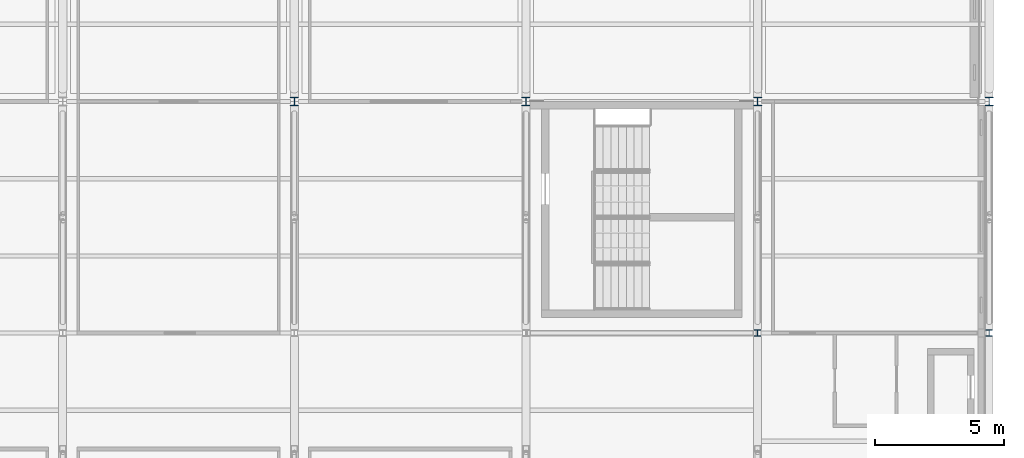
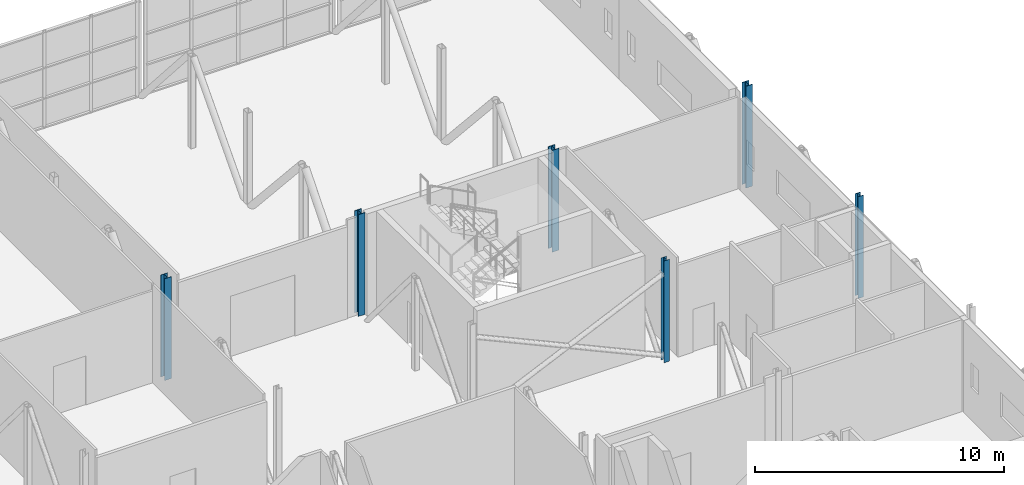
# One storey, part 8 of 94: 6 columns.
"""IFC4 building model written with IfcOpenShell, lengths in metres."""

import ifcopenshell
import ifcopenshell.guid

model = None  # the IFC model being written
_history = None  # IfcOwnerHistory: only IFC2X3 demands one
_inside = {}  # id of a spatial element -> (the spatial element, [elements in it])
_under = {}  # id of a project, library or spatial element -> (it, [spatial elements below it])
_declared = {}  # id of a project -> (the project, [libraries it declares])
_typed = {}  # id of a type object -> (the type object, [elements of that type])
_made_of = {}  # id of a material, layer set ... -> (it, [elements and type objects made of it])


def new_model(schema):
    """Start an empty IFC model of exactly this schema.

    Asked for "IFC4X3", IfcOpenShell would pick the latest addendum, in which some entities
    have other attributes; the version numbers below select the first issue.
    IFC2X3 requires an IfcOwnerHistory on every rooted entity: one is made here for all.
    """
    global model, _history
    if schema == "IFC4X3":
        model = ifcopenshell.file(schema_version=(4, 3, 0, 0))
    else:
        model = ifcopenshell.file(schema=schema)
    _inside.clear()
    _under.clear()
    _declared.clear()
    _typed.clear()
    _made_of.clear()
    _history = None
    if model.schema == "IFC2X3":
        org = make("IfcOrganization", Name="unknown")
        user = make(
            "IfcPersonAndOrganization",
            ThePerson=make("IfcPerson", FamilyName="unknown"),
            TheOrganization=org,
        )
        app = make(
            "IfcApplication",
            ApplicationDeveloper=org,
            Version="unknown",
            ApplicationFullName="unknown",
            ApplicationIdentifier="unknown",
        )
        _history = make(
            "IfcOwnerHistory",
            OwningUser=user,
            OwningApplication=app,
            ChangeAction="ADDED",
            CreationDate=0,
        )
    return model


def make(cls, **values):
    """One entity of the class cls with the attributes given. An attribute that is None is left unset."""
    return model.create_entity(
        cls, **{name: value for name, value in values.items() if value is not None}
    )


def rooted(cls, **values):
    """An entity with a GlobalId (a new one), such as an element, a storey or a relation."""
    return make(cls, GlobalId=ifcopenshell.guid.new(), OwnerHistory=_history, **values)


def si_unit(unit_type, name, prefix=None):
    """IfcSIUnit, for example si_unit("LENGTHUNIT", "METRE", prefix="MILLI")."""
    return make("IfcSIUnit", UnitType=unit_type, Prefix=prefix, Name=name)


def assignment(units):
    """IfcUnitAssignment: the units of a project."""
    return None if units is None else make("IfcUnitAssignment", Units=units)


def point(xyz):
    """IfcCartesianPoint."""
    return None if xyz is None else make("IfcCartesianPoint", Coordinates=xyz)


def direction(xyz):
    """IfcDirection."""
    return None if xyz is None else make("IfcDirection", DirectionRatios=xyz)


def frame(location, z_axis=None, x_axis=None):
    """IfcAxis2Placement3D, a coordinate frame: its origin and axes. An axis left out is left unset."""
    return make(
        "IfcAxis2Placement3D",
        Location=point(location),
        Axis=direction(z_axis),
        RefDirection=direction(x_axis),
    )


def frame_2d(location, x_axis=None):
    """IfcAxis2Placement2D, a coordinate frame in the plane: its origin and x axis."""
    return make(
        "IfcAxis2Placement2D", Location=point(location), RefDirection=direction(x_axis)
    )


def origin():
    """The frame at (0, 0, 0) with its axes left unset."""
    return frame((0.0, 0.0, 0.0))


def origin_2d():
    """The frame at (0, 0) in the plane with its x axis left unset."""
    return frame_2d((0.0, 0.0))


def place(relative_to, where):
    """IfcLocalPlacement: puts the frame where relative to a parent placement (None: the world)."""
    return make(
        "IfcLocalPlacement", PlacementRelTo=relative_to, RelativePlacement=where
    )


def context(
    kind, dimensions, precision=None, world=None, true_north=None, identifier=None
):
    """IfcGeometricRepresentationContext, for example the 3D "Model" context."""
    return make(
        "IfcGeometricRepresentationContext",
        ContextIdentifier=identifier,
        ContextType=kind,
        CoordinateSpaceDimension=dimensions,
        Precision=precision,
        WorldCoordinateSystem=world,
        TrueNorth=true_north,
    )


def subcontext(parent, identifier, kind, view, scale=None):
    """IfcGeometricRepresentationSubContext, for example "Body" below "Model"."""
    return make(
        "IfcGeometricRepresentationSubContext",
        ContextIdentifier=identifier,
        ContextType=kind,
        ParentContext=parent,
        TargetScale=scale,
        TargetView=view,
    )


def project(units=None, contexts=None):
    """IfcProject with its units and contexts."""
    return rooted(
        "IfcProject",
        Name="project",
        RepresentationContexts=contexts,
        UnitsInContext=assignment(units),
    )


def spatial(cls, under=None, at=None, **own):
    """A site, building, storey or space (cls), placed at a placement, below another one or the project."""
    s = rooted(cls, ObjectPlacement=at, **own)
    if under is not None:
        _under.setdefault(under.id(), (under, []))[1].append(s)
    return s


def profile(cls, at=None, kind="AREA", **sizes):
    """A parametric profile (cls). Its sizes go by their IFC names, for example OverallWidth=200.0."""
    return make(cls, ProfileType=kind, Position=at, **sizes)


def i_section(**sizes):
    """IfcIShapeProfileDef."""
    return profile("IfcIShapeProfileDef", **sizes)


def extrude(swept, where, along, depth):
    """IfcExtrudedAreaSolid: the profile swept, set in the frame where, extruded along a direction by depth."""
    return make(
        "IfcExtrudedAreaSolid",
        SweptArea=swept,
        Position=where,
        ExtrudedDirection=direction(along),
        Depth=depth,
    )


def shape(context_of_items, identifier, shape_type, items):
    """IfcShapeRepresentation: the items that make up one representation, for example the "Body"."""
    return make(
        "IfcShapeRepresentation",
        ContextOfItems=context_of_items,
        RepresentationIdentifier=identifier,
        RepresentationType=shape_type,
        Items=items,
    )


def material(Name=None, Category=None):
    """IfcMaterial."""
    return make("IfcMaterial", Name=Name, Category=Category)


def material_profile(
    of_material, cross_section, Name=None, Category=None, Priority=None
):
    """IfcMaterialProfile: a cross section and its material."""
    return make(
        "IfcMaterialProfile",
        Name=Name,
        Material=of_material,
        Profile=cross_section,
        Priority=Priority,
        Category=Category,
    )


def profile_set(profiles, Name=None, composite=None):
    """IfcMaterialProfileSet."""
    return make(
        "IfcMaterialProfileSet",
        Name=Name,
        MaterialProfiles=profiles,
        CompositeProfile=composite,
    )


def made_of(thing, what):
    """Note that an element or type object is made of a material, layer set ...; save() writes the relation."""
    if what is not None:
        _made_of.setdefault(what.id(), (what, []))[1].append(thing)
    return thing


def type_object(cls, material=None, **own):
    """A type object (cls), such as IfcWallType, which elements share."""
    return made_of(rooted(cls, **own), material)


def element(
    cls,
    number,
    at=None,
    inside=None,
    cuts=None,
    type_object=None,
    material=None,
    context=None,
    identifier="Body",
    shape_type=None,
    held_by="IfcProductDefinitionShape",
    body=None,
    shapes=None,
    **own,
):
    """One element of the class cls, such as IfcWall. Its Tag is "e" and its number.

    at: its placement. inside: the storey or other place that contains it. cuts: it is an
    opening in that element (IfcRelVoidsElement). A single representation is given by context,
    identifier, shape_type and body (its items); several are given by shapes. held_by: the class
    of the entity that holds the representations. save() writes the other relations.
    """
    e = rooted(cls, Tag="e%d" % number, ObjectPlacement=at, **own)
    if body is not None:
        shapes = [shape(context, identifier, shape_type, body)]
    if shapes is not None:
        e.Representation = make(held_by, Representations=shapes)
    if inside is not None:
        _inside.setdefault(inside.id(), (inside, []))[1].append(e)
    if cuts is not None:
        rooted(
            "IfcRelVoidsElement", RelatingBuildingElement=cuts, RelatedOpeningElement=e
        )
    if type_object is not None:
        _typed.setdefault(type_object.id(), (type_object, []))[1].append(e)
    return made_of(e, material)


def aggregate(whole, parts):
    """IfcRelAggregates: a whole, such as a stair, and the parts it consists of."""
    return rooted("IfcRelAggregates", RelatingObject=whole, RelatedObjects=parts)


def save(model, path):
    """Write the relations noted so far, then the file.

    IfcRelAggregates (storeys below a building ...), IfcRelContainedInSpatialStructure (elements
    in a storey), IfcRelDefinesByType, IfcRelAssociatesMaterial and IfcRelDeclares: one each for
    every whole, place, type object, material and project.
    """
    for whole, parts in _under.values():
        aggregate(whole, parts)
    for where, things in _inside.values():
        rooted(
            "IfcRelContainedInSpatialStructure",
            RelatedElements=things,
            RelatingStructure=where,
        )
    for kind, things in _typed.values():
        rooted("IfcRelDefinesByType", RelatedObjects=things, RelatingType=kind)
    for what, things in _made_of.values():
        rooted("IfcRelAssociatesMaterial", RelatedObjects=things, RelatingMaterial=what)
    for by, libraries in _declared.values():
        rooted("IfcRelDeclares", RelatingContext=by, RelatedDefinitions=libraries)
    model.write(path)


model = new_model("IFC4")

# Units and contexts
model_context = context("Model", 3, precision=1e-05, world=origin(), true_north=direction((0.0, 1.0)))
body_context = subcontext(model_context, "Body", "Model", "MODEL_VIEW")
ifc_project = project(units=[si_unit("LENGTHUNIT", "METRE"), si_unit("AREAUNIT", "SQUARE_METRE"), si_unit("VOLUMEUNIT", "CUBIC_METRE"), si_unit("PLANEANGLEUNIT", "RADIAN"), si_unit("MASSUNIT", "GRAM", prefix="KILO")], contexts=[model_context])

# Site, building, storey
site_placement = place(None, origin())
site = spatial("IfcSite", under=ifc_project, at=site_placement, CompositionType="ELEMENT")
building_placement = place(site_placement, origin())
building = spatial("IfcBuilding", under=site, at=building_placement, Name="Shorebreak Coast Museum", CompositionType="ELEMENT")
storey_placement = place(building_placement, frame((0.0, 0.0, 31.0)))
storey = spatial("IfcBuildingStorey", under=building, at=storey_placement, Name="L05", CompositionType="ELEMENT", Elevation=31.0)

# Columns
ifc_material_1 = material(Name="Steel Grade 300", Category="steel")
ifc_material_profile_1 = material_profile(ifc_material_1, i_section(OverallWidth=0.25390625, OverallDepth=0.25390625, WebThickness=0.008544921875, FlangeThickness=0.01416015625, FilletRadius=0.013916015625, at=origin_2d()), Name="250UC72.9")
ifc_profile_set_1 = profile_set([ifc_material_profile_1], Name="Steel Grade 300")
column_type_1 = type_object("IfcColumnType", Name="Column 250UC72.9", PredefinedType="COLUMN", material=ifc_profile_set_1)
for number, where, z_axis, x_axis, name in (
    (1, (108.0, 108.0, 0.0), (0.0, 0.0, 1.0), (1.0, 0.0, 0.0), "Column L05 13N"),
    (2, (117.0, 108.0, 0.0), (0.0, 0.0, 1.0), (1.0, 0.0, 0.0), "Column L05 14N"),
):
    element("IfcColumn", number, at=place(storey_placement, frame(where, z_axis=z_axis, x_axis=x_axis)), inside=storey, type_object=column_type_1, Name=name, PredefinedType="COLUMN", context=body_context, shape_type="SweptSolid", body=[
        extrude(i_section(OverallWidth=0.25390625, OverallDepth=0.25390625, WebThickness=0.008544921875, FlangeThickness=0.01416015625, FilletRadius=0.013916015625, at=origin_2d()), origin(), (0.0, 0.0, 1.0), 5.0),
    ])
ifc_material_2 = material(Name="Steel Grade 300", Category="steel")
ifc_material_profile_2 = material_profile(ifc_material_2, i_section(OverallWidth=0.31103515625, OverallDepth=0.3271484375, WebThickness=0.015625, FlangeThickness=0.02490234375, FilletRadius=0.0166015625, at=origin_2d()), Name="310UC158")
ifc_profile_set_2 = profile_set([ifc_material_profile_2], Name="Steel Grade 300")
column_type_2 = type_object("IfcColumnType", Name="Column 310UC158", PredefinedType="COLUMN", material=ifc_profile_set_2)
for number, where, z_axis, x_axis, name in (
    (3, (90.0, 117.0, 0.0), (0.0, 0.0, 1.0), (1.0, 0.0, 0.0), "Column L05 11P"),
    (4, (99.0, 117.0, 0.0), (0.0, 0.0, 1.0), (1.0, 0.0, 0.0), "Column L05 12P"),
    (5, (108.0, 117.0, 0.0), (0.0, 0.0, 1.0), (1.0, 0.0, 0.0), "Column L05 13P"),
    (6, (117.0, 117.0, 0.0), (0.0, 0.0, 1.0), (1.0, 0.0, 0.0), "Column L05 14P"),
):
    element("IfcColumn", number, at=place(storey_placement, frame(where, z_axis=z_axis, x_axis=x_axis)), inside=storey, type_object=column_type_2, Name=name, PredefinedType="COLUMN", context=body_context, shape_type="SweptSolid", body=[
        extrude(i_section(OverallWidth=0.31103515625, OverallDepth=0.3271484375, WebThickness=0.015625, FlangeThickness=0.02490234375, FilletRadius=0.0166015625, at=origin_2d()), origin(), (0.0, 0.0, 1.0), 5.0),
    ])

save(model, "model.ifc")
